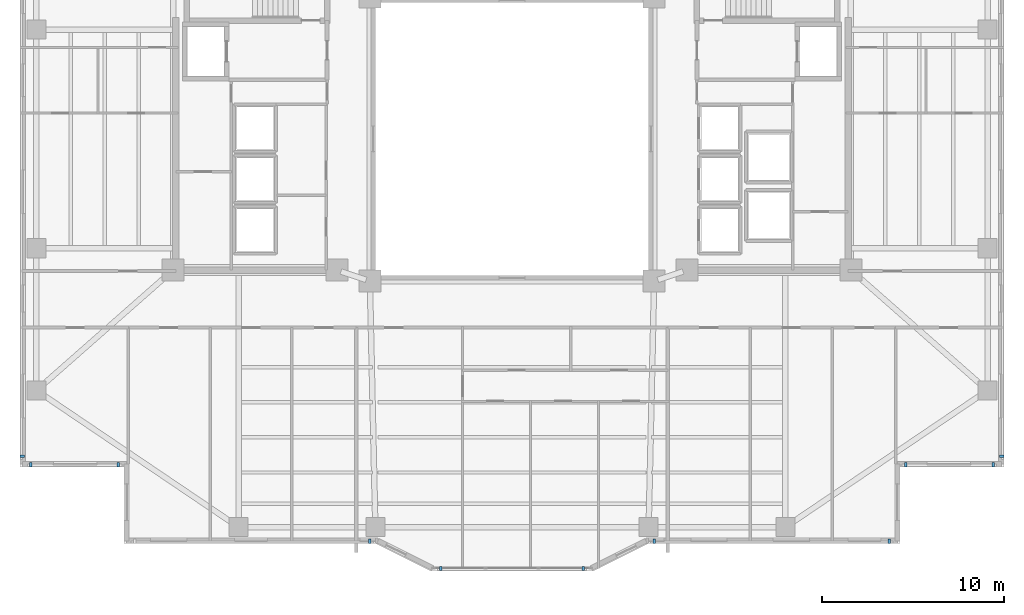
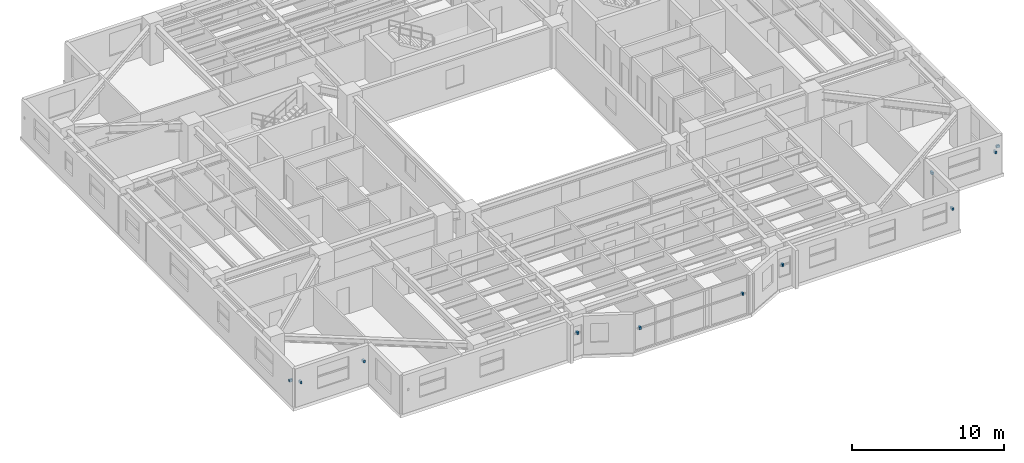
# One storey, part 12 of 18: 11 discrete accessories.
"""IFC4 building model written with IfcOpenShell, lengths in metres."""

from ifc_helpers import new_model, si_unit, direction, frame, origin, origin_2d, place, context, subcontext, project, spatial, rectangle, extrude, material, type_object, element, save


model = new_model("IFC4")

# Units and contexts
model_context = context("Model", 3, precision=1e-05, world=origin(), true_north=direction((0.0, 1.0)))
body_context = subcontext(model_context, "Body", "Model", "MODEL_VIEW")
ifc_project = project(units=[si_unit("LENGTHUNIT", "METRE"), si_unit("AREAUNIT", "SQUARE_METRE"), si_unit("VOLUMEUNIT", "CUBIC_METRE"), si_unit("PLANEANGLEUNIT", "RADIAN"), si_unit("MASSUNIT", "GRAM", prefix="KILO")], contexts=[model_context])

# Site, building, storey
site_placement = place(None, origin())
site = spatial("IfcSite", under=ifc_project, at=site_placement, CompositionType="ELEMENT")
building_placement = place(site_placement, origin())
building = spatial("IfcBuilding", under=site, at=building_placement, Name="Tarnavaz Court Tower", CompositionType="ELEMENT")
storey_placement = place(building_placement, frame((0.0, 0.0, 95.050048828125)))
storey = spatial("IfcBuildingStorey", under=building, at=storey_placement, Name="L25", CompositionType="ELEMENT", Elevation=95.050048828125)

# Discrete accessories
ifc_material = material(Name="Anodised Aluminium 6063-T6", Category="aluminium")
discrete_accessory_type = type_object("IfcDiscreteAccessoryType", Name="DA-BRKT-ALU", PredefinedType="BRACKET", material=ifc_material)
for number, where, z_axis, x_axis, name in (
    (1, (-21.60009765625, -17.8701171875, 1.75), (0.0, 0.0, 1.0), (-1.0, 0.0, 0.0), "L25 Baguette Outrigger Bracket FBG01-1"),
    (2, (-26.39990234375, -17.8701171875, 1.75), (0.0, 0.0, 1.0), (-1.0, 0.0, 0.0), "L25 Baguette Outrigger Bracket FBG01-2"),
    (3, (-26.8701171875, -17.39990234375, 1.75), (0.0, 0.0, 1.0), (0.0, 1.0, 0.0), "L25 Baguette Outrigger Bracket FBG02-1"),
    (4, (26.8701171875, -17.39990234375, 1.75), (0.0, 0.0, 1.0), (0.0, -1.0, 0.0), "L25 Baguette Outrigger Bracket FBG12-2"),
    (5, (26.39990234375, -17.8701171875, 1.75), (0.0, 0.0, 1.0), (-1.0, 0.0, 0.0), "L25 Baguette Outrigger Bracket FBG13-1"),
    (6, (21.60009765625, -17.8701171875, 1.75), (0.0, 0.0, 1.0), (-1.0, 0.0, 0.0), "L25 Baguette Outrigger Bracket FBG13-2"),
    (7, (20.699951171875, -22.070068359375, 1.75), (0.0, 0.0, 1.0), (-1.0, 0.0, 0.0), "L25 Baguette Outrigger Bracket FBG15-1"),
    (8, (7.800048828125, -22.070068359375, 1.75), (0.0, 0.0, 1.0), (-1.0, 0.0, 0.0), "L25 Baguette Outrigger Bracket FBG15-2"),
    (9, (3.89990234375, -23.570068359375, 1.7001953125), (0.0, 0.0, 1.0), (-1.0, 0.0, 0.0), "L25 Baguette Outrigger Bracket PBG17-1"),
    (10, (-3.89990234375, -23.570068359375, 1.7001953125), (0.0, 0.0, 1.0), (-1.0, 0.0, 0.0), "L25 Baguette Outrigger Bracket PBG17-2"),
    (11, (-7.800048828125, -22.070068359375, 1.75), (0.0, 0.0, 1.0), (-1.0, 0.0, 0.0), "L25 Baguette Outrigger Bracket FBG19-1"),
):
    element("IfcDiscreteAccessory", number, at=place(storey_placement, frame(where, z_axis=z_axis, x_axis=x_axis)), inside=storey, type_object=discrete_accessory_type, Name=name, PredefinedType="BRACKET", context=body_context, shape_type="SweptSolid", body=[
        extrude(rectangle(XDim=0.139892578125, YDim=0.239990234375, at=origin_2d()), origin(), (0.0, 0.0, 1.0), 0.199951171875),
    ])

save(model, "model.ifc")
